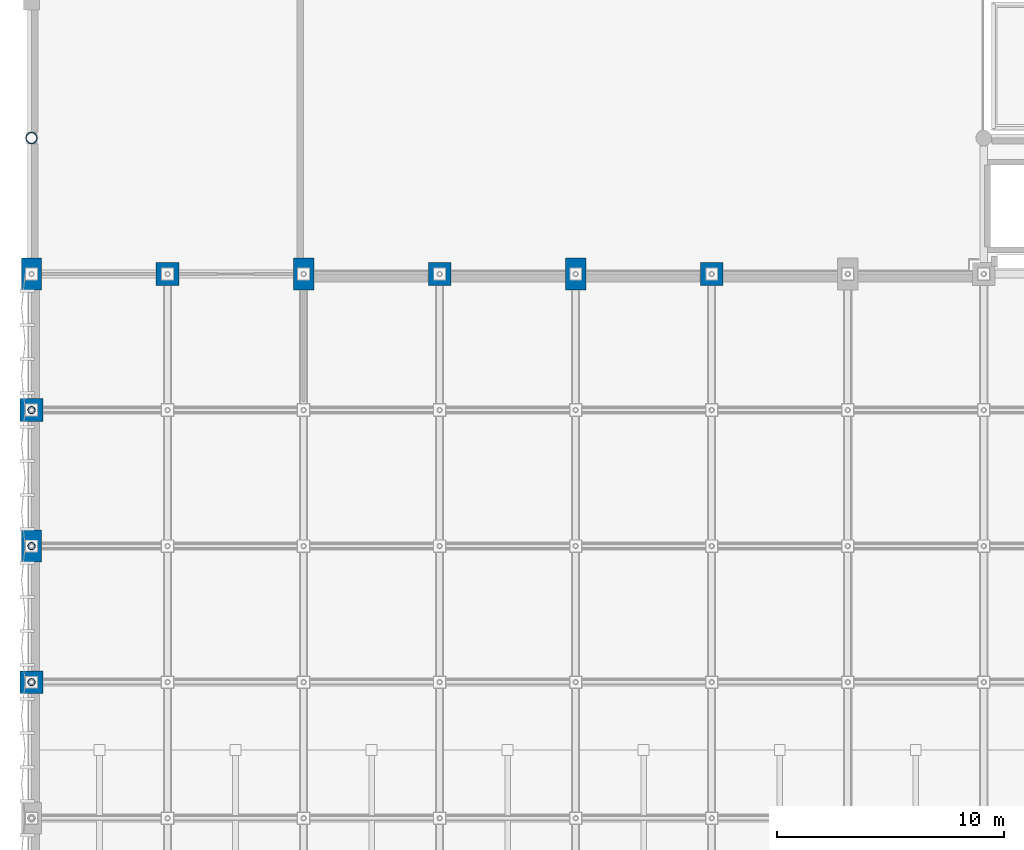
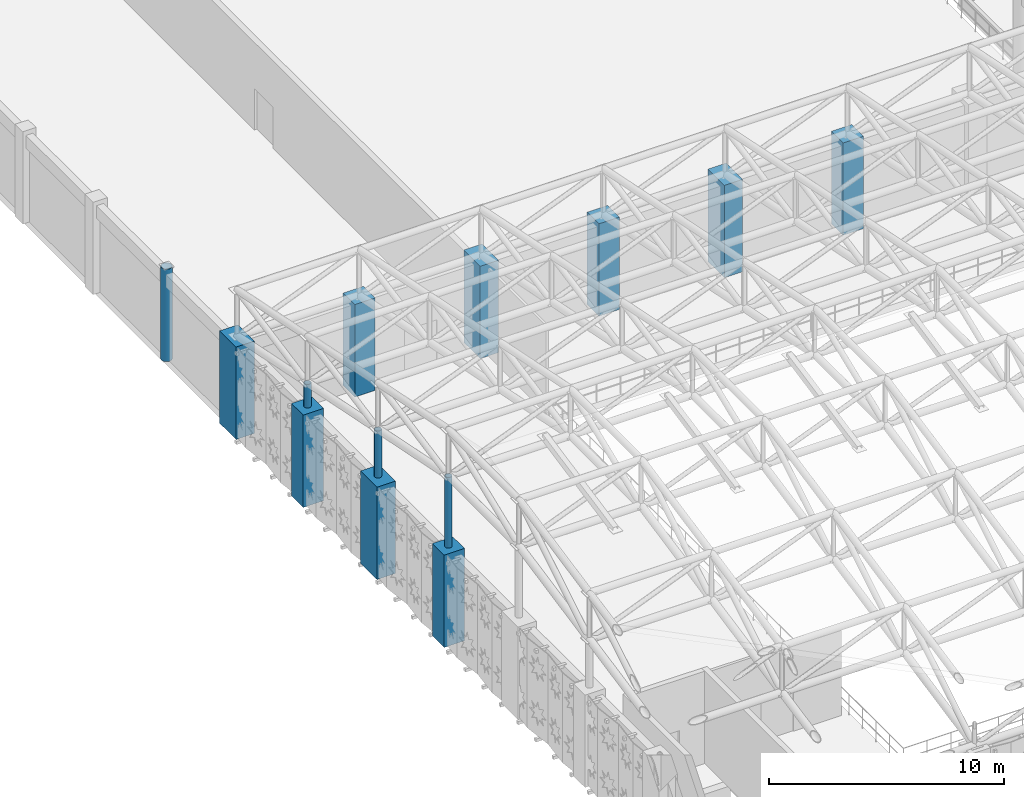
# One storey, part 6 of 112: 13 columns.
"""IFC4 building model written with IfcOpenShell, lengths in metres."""

from ifc_helpers import new_model, si_unit, direction, frame, origin, origin_2d, place, context, subcontext, project, spatial, rectangle, hollow_circle, extrude, material, material_profile, profile_set, type_object, element, save


model = new_model("IFC4")

# Units and contexts
model_context = context("Model", 3, precision=1e-05, world=origin(), true_north=direction((0.0, 1.0)))
body_context = subcontext(model_context, "Body", "Model", "MODEL_VIEW")
ifc_project = project(units=[si_unit("LENGTHUNIT", "METRE"), si_unit("AREAUNIT", "SQUARE_METRE"), si_unit("VOLUMEUNIT", "CUBIC_METRE"), si_unit("PLANEANGLEUNIT", "RADIAN"), si_unit("MASSUNIT", "GRAM", prefix="KILO"), si_unit("THERMODYNAMICTEMPERATUREUNIT", "KELVIN"), si_unit("POWERUNIT", "WATT")], contexts=[model_context])

# Site, building, storey
site_placement = place(None, origin())
site = spatial("IfcSite", under=ifc_project, at=site_placement, CompositionType="ELEMENT")
building_placement = place(site_placement, origin())
building = spatial("IfcBuilding", under=site, at=building_placement, Name="Phaisarnlok Congress Hotel", CompositionType="ELEMENT")
storey_placement = place(building_placement, frame((0.0, 0.0, 19.800048828125)))
storey = spatial("IfcBuildingStorey", under=building, at=storey_placement, Name="L04", CompositionType="ELEMENT", Elevation=19.800048828125)

# Columns
ifc_material_1 = material(Name="Concrete C50/60", Category="concrete")
ifc_material_profile_1 = material_profile(ifc_material_1, rectangle(XDim=1.0, YDim=1.0, at=origin_2d()), Name="RC 1000x1000")
ifc_profile_set_1 = profile_set([ifc_material_profile_1], Name="Concrete C50/60")
column_type_1 = type_object("IfcColumnType", Name="COL-RC-1000", PredefinedType="COLUMN", material=ifc_profile_set_1)
for number, where, z_axis, x_axis, name in (
    (1, (6.0, 84.0, 0.0), (0.0, 0.0, 1.0), (1.0, 0.0, 0.0), "Column C-09 (L04)"),
    (2, (18.0, 84.0, 0.0), (0.0, 0.0, 1.0), (1.0, 0.0, 0.0), "Column C-09 (L04)"),
    (3, (30.0, 84.0, 0.0), (0.0, 0.0, 1.0), (1.0, 0.0, 0.0), "Column C-09 (L04)"),
):
    element("IfcColumn", number, at=place(storey_placement, frame(where, z_axis=z_axis, x_axis=x_axis)), inside=storey, type_object=column_type_1, Name=name, PredefinedType="COLUMN", context=body_context, shape_type="SweptSolid", body=[
        extrude(rectangle(XDim=1.0, YDim=1.0, at=origin_2d()), origin(), (0.0, 0.0, 1.0), 4.800048828125),
    ])
ifc_material_profile_2 = material_profile(ifc_material_1, rectangle(XDim=1.0, YDim=1.0, at=origin_2d()), Name="RC 1000x1000")
ifc_profile_set_2 = profile_set([ifc_material_profile_2], Name="Concrete C50/60")
column_type_2 = type_object("IfcColumnType", Name="COL-RC-1000-EXT", PredefinedType="COLUMN", material=ifc_profile_set_2)
for number, where, z_axis, x_axis, name in (
    (4, (0.0, 66.0, 0.0), (0.0, 0.0, 1.0), (1.0, 0.0, 0.0), "Column C-09E (L04)"),
    (5, (0.0, 78.0, 0.0), (0.0, 0.0, 1.0), (1.0, 0.0, 0.0), "Column C-09E (L04)"),
):
    element("IfcColumn", number, at=place(storey_placement, frame(where, z_axis=z_axis, x_axis=x_axis)), inside=storey, type_object=column_type_2, Name=name, PredefinedType="COLUMN", context=body_context, shape_type="SweptSolid", body=[
        extrude(rectangle(XDim=1.0, YDim=1.0, at=origin_2d()), origin(), (0.0, 0.0, 1.0), 4.800048828125),
    ])
ifc_material_profile_3 = material_profile(ifc_material_1, rectangle(XDim=0.89990234375, YDim=1.39990234375, at=origin_2d()), Name="RC 900x1400")
ifc_profile_set_3 = profile_set([ifc_material_profile_3], Name="Concrete C50/60")
column_type_3 = type_object("IfcColumnType", Name="COL-RC-900x1400", PredefinedType="COLUMN", material=ifc_profile_set_3)
for number, where, z_axis, x_axis, name in (
    (6, (12.0, 84.0, 0.0), (0.0, 0.0, 1.0), (1.0, 0.0, 0.0), "Column C-12 (L04)"),
    (7, (24.0, 84.0, 0.0), (0.0, 0.0, 1.0), (1.0, 0.0, 0.0), "Column C-12 (L04)"),
):
    element("IfcColumn", number, at=place(storey_placement, frame(where, z_axis=z_axis, x_axis=x_axis)), inside=storey, type_object=column_type_3, Name=name, PredefinedType="COLUMN", context=body_context, shape_type="SweptSolid", body=[
        extrude(rectangle(XDim=0.89990234375, YDim=1.39990234375, at=origin_2d()), origin(), (0.0, 0.0, 1.0), 4.800048828125),
    ])
ifc_material_profile_4 = material_profile(ifc_material_1, rectangle(XDim=0.89990234375, YDim=1.39990234375, at=origin_2d()), Name="RC 900x1400")
ifc_profile_set_4 = profile_set([ifc_material_profile_4], Name="Concrete C50/60")
column_type_4 = type_object("IfcColumnType", Name="COL-RC-900x1400-EXT", PredefinedType="COLUMN", material=ifc_profile_set_4)
for number, where, z_axis, x_axis, name in (
    (8, (0.0, 72.0, 0.0), (0.0, 0.0, 1.0), (1.0, 0.0, 0.0), "Column C-12E (L04)"),
    (9, (0.0, 84.0, 0.0), (0.0, 0.0, 1.0), (1.0, 0.0, 0.0), "Column C-12E (L04)"),
):
    element("IfcColumn", number, at=place(storey_placement, frame(where, z_axis=z_axis, x_axis=x_axis)), inside=storey, type_object=column_type_4, Name=name, PredefinedType="COLUMN", context=body_context, shape_type="SweptSolid", body=[
        extrude(rectangle(XDim=0.89990234375, YDim=1.39990234375, at=origin_2d()), origin(), (0.0, 0.0, 1.0), 4.800048828125),
    ])
ifc_material_2 = material(Name="Steel S355", Category="steel")
ifc_material_profile_5 = material_profile(ifc_material_2, hollow_circle(Radius=0.161865234375, WallThickness=0.01611328125, at=origin_2d()), Name="CHS 323.9x16")
ifc_profile_set_5 = profile_set([ifc_material_profile_5], Name="Steel S355")
column_type_5 = type_object("IfcColumnType", Name="COL-STL-CHS324-EXT", PredefinedType="COLUMN", material=ifc_profile_set_5)
column_1_placement = place(storey_placement, frame((0.0, 66.0, 4.800048828125), z_axis=(0.0, 0.0, 1.0), x_axis=(1.0, 0.0, 0.0)))
element("IfcColumn", 10, at=column_1_placement, inside=storey, type_object=column_type_5, Name="Congress Hall gable roof support post", PredefinedType="COLUMN", context=body_context, shape_type="SweptSolid", body=[
    extrude(hollow_circle(Radius=0.161865234375, WallThickness=0.01611328125, at=origin_2d()), origin(), (0.0, 0.0, 1.0), 3.662109375),
])
column_2_placement = place(storey_placement, frame((0.0, 72.0, 4.800048828125), z_axis=(0.0, 0.0, 1.0), x_axis=(1.0, 0.0, 0.0)))
element("IfcColumn", 11, at=column_2_placement, inside=storey, type_object=column_type_5, Name="Congress Hall gable roof support post", PredefinedType="COLUMN", context=body_context, shape_type="SweptSolid", body=[
    extrude(hollow_circle(Radius=0.161865234375, WallThickness=0.01611328125, at=origin_2d()), origin(), (0.0, 0.0, 1.0), 2.44140625),
])
column_3_placement = place(storey_placement, frame((0.0, 78.0, 4.800048828125), z_axis=(0.0, 0.0, 1.0), x_axis=(1.0, 0.0, 0.0)))
element("IfcColumn", 12, at=column_3_placement, inside=storey, type_object=column_type_5, Name="Congress Hall gable roof support post", PredefinedType="COLUMN", context=body_context, shape_type="SweptSolid", body=[
    extrude(hollow_circle(Radius=0.161865234375, WallThickness=0.01611328125, at=origin_2d()), origin(), (0.0, 0.0, 1.0), 1.220703125),
])
ifc_material_profile_6 = material_profile(ifc_material_2, hollow_circle(Radius=0.25390625, WallThickness=0.02490234375, at=origin_2d()), Name="CHS 508x25")
ifc_profile_set_6 = profile_set([ifc_material_profile_6], Name="Steel S355")
column_type_6 = type_object("IfcColumnType", Name="COL-STL-CHS508-EXT", PredefinedType="COLUMN", material=ifc_profile_set_6)
column_4_placement = place(storey_placement, frame((0.0, 90.0, 0.0), z_axis=(0.0, 0.0, 1.0), x_axis=(1.0, 0.0, 0.0)))
element("IfcColumn", 13, at=column_4_placement, inside=storey, type_object=column_type_6, Name="Column SC-03E (L04)", PredefinedType="COLUMN", context=body_context, shape_type="SweptSolid", body=[
    extrude(hollow_circle(Radius=0.25390625, WallThickness=0.02490234375, at=origin_2d()), origin(), (0.0, 0.0, 1.0), 4.800048828125),
])

save(model, "model.ifc")
